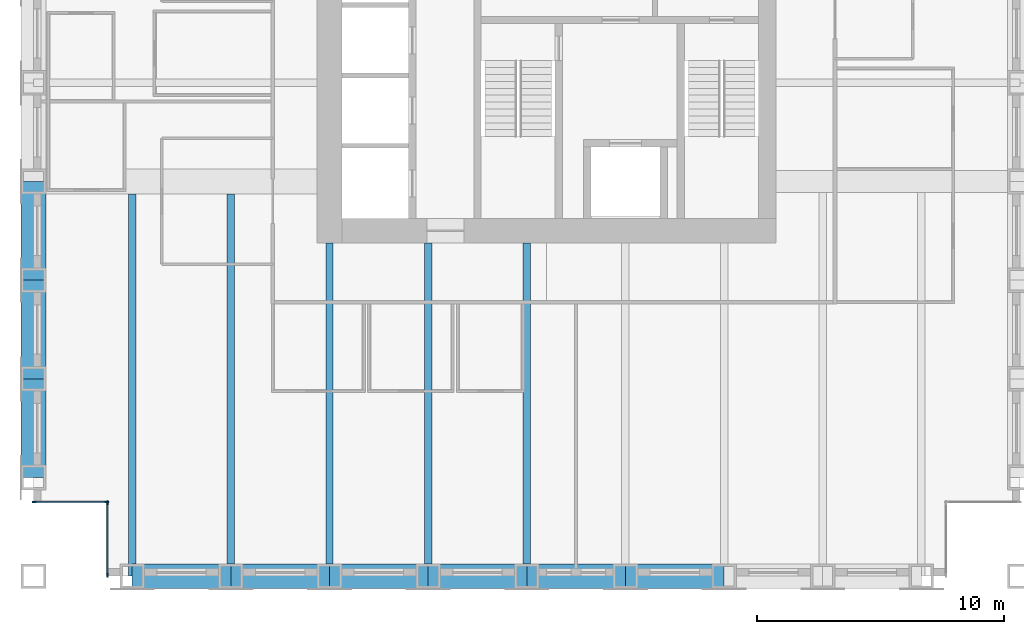
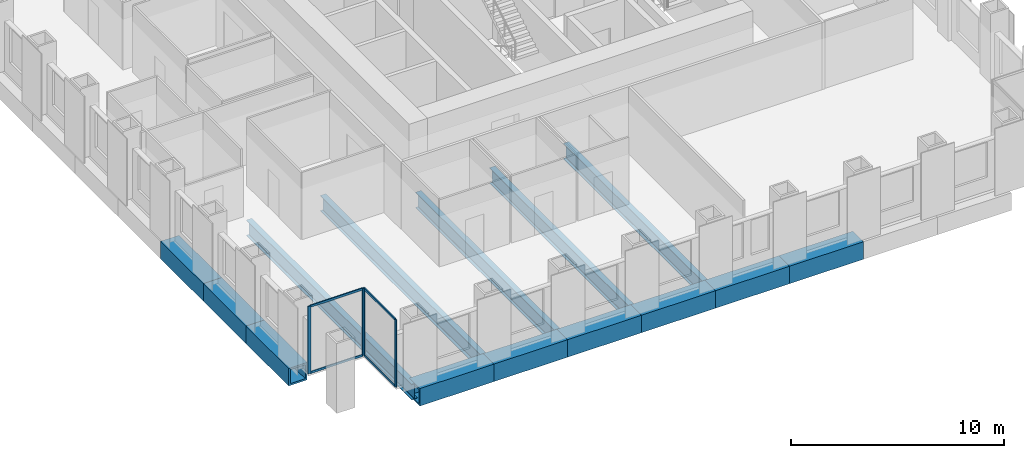
# One storey, part 2 of 13: 14 beams, 8 members, 2 elements without a shape of their own.
"""IFC4 building model written with IfcOpenShell, lengths in metres."""

from ifc_helpers import new_model, si_unit, direction, frame, origin, origin_2d, place, context, subcontext, project, spatial, rectangle, hollow_rectangle, i_section, extrude, material, material_profile, profile_set, type_object, element, aggregate, save


model = new_model("IFC4")

# Units and contexts
model_context = context("Model", 3, precision=1e-05, world=origin(), true_north=direction((0.0, 1.0)))
body_context = subcontext(model_context, "Body", "Model", "MODEL_VIEW")
ifc_project = project(units=[si_unit("LENGTHUNIT", "METRE"), si_unit("AREAUNIT", "SQUARE_METRE"), si_unit("VOLUMEUNIT", "CUBIC_METRE"), si_unit("PLANEANGLEUNIT", "RADIAN"), si_unit("MASSUNIT", "GRAM", prefix="KILO")], contexts=[model_context])

# Site, building, storey
site_placement = place(None, origin())
site = spatial("IfcSite", under=ifc_project, at=site_placement, CompositionType="ELEMENT")
building_placement = place(site_placement, origin())
building = spatial("IfcBuilding", under=site, at=building_placement, Name="Rimbunsela Tower", CompositionType="ELEMENT")
storey_placement = place(building_placement, frame((0.0, 0.0, 286.199951171875)))
storey = spatial("IfcBuildingStorey", under=building, at=storey_placement, Name="L69", CompositionType="ELEMENT", Elevation=286.199951171875)

# Beams
ifc_material_1 = material(Name="Steel BJ 55 (fy 410 MPa)", Category="steel")
ifc_material_profile_1 = material_profile(ifc_material_1, hollow_rectangle(XDim=1.0, YDim=1.0, WallThickness=0.10009765625, at=origin_2d()), Name="BOX 1000x1000x100")
ifc_profile_set_1 = profile_set([ifc_material_profile_1], Name="Steel BJ 55 (fy 410 MPa)")
beam_type_1 = type_object("IfcBeamType", Name="Beam BOX 1000x1000x100", PredefinedType="BEAM", material=ifc_profile_set_1)
for number, where, z_axis, x_axis, name in (
    (1, (6.0, 8.0, -0.64990234375), (0.0, 1.0, 0.0), (-1.0, 0.0, 0.0), "Beam B3 L69"),
    (2, (6.0, 12.0, -0.64990234375), (0.0, 1.0, 0.0), (-1.0, 0.0, 0.0), "Beam B3 L69"),
    (3, (6.0, 16.0, -0.64990234375), (0.0, 1.0, 0.0), (-1.0, 0.0, 0.0), "Beam B3 L69"),
    (4, (10.0, 4.0, -0.64990234375), (1.0, 0.0, 0.0), (0.0, 1.0, 0.0), "Beam B3 L69"),
    (5, (14.0, 4.0, -0.64990234375), (1.0, 0.0, 0.0), (0.0, 1.0, 0.0), "Beam B3 L69"),
    (6, (18.0, 4.0, -0.64990234375), (1.0, 0.0, 0.0), (0.0, 1.0, 0.0), "Beam B3 L69"),
    (7, (22.0, 4.0, -0.64990234375), (1.0, 0.0, 0.0), (0.0, 1.0, 0.0), "Beam B3 L69"),
    (8, (26.0, 4.0, -0.64990234375), (1.0, 0.0, 0.0), (0.0, 1.0, 0.0), "Beam B3 L69"),
    (9, (30.0, 4.0, -0.64990234375), (1.0, 0.0, 0.0), (0.0, 1.0, 0.0), "Beam B3 L69"),
):
    element("IfcBeam", number, at=place(storey_placement, frame(where, z_axis=z_axis, x_axis=x_axis)), inside=storey, type_object=beam_type_1, Name=name, PredefinedType="BEAM", context=body_context, shape_type="SweptSolid", body=[
        extrude(hollow_rectangle(XDim=1.0, YDim=1.0, WallThickness=0.10009765625, at=origin_2d()), origin(), (0.0, 0.0, 1.0), 4.0),
    ])
ifc_material_2 = material(Name="Steel BJ 55 (fy 410 MPa)", Category="steel")
ifc_material_profile_2 = material_profile(ifc_material_2, i_section(OverallWidth=0.300048828125, OverallDepth=0.89990234375, WebThickness=0.01611328125, FlangeThickness=0.028076171875, FilletRadius=0.028076171875, at=origin_2d()), Name="H 900x300x16x28")
ifc_profile_set_2 = profile_set([ifc_material_profile_2], Name="Steel BJ 55 (fy 410 MPa)")
beam_type_2 = type_object("IfcBeamType", Name="Beam H 900x300x16x28", PredefinedType="BEAM", material=ifc_profile_set_2)
for number, where, z_axis, x_axis, name in (
    (10, (10.0, 4.0, -0.599853515625), (0.0, 1.0, 0.0), (-1.0, 0.0, 0.0), "Beam B2 L69"),
    (11, (14.0, 4.0, -0.599853515625), (0.0, 1.0, 0.0), (-1.0, 0.0, 0.0), "Beam B2 L69"),
):
    element("IfcBeam", number, at=place(storey_placement, frame(where, z_axis=z_axis, x_axis=x_axis)), inside=storey, type_object=beam_type_2, Name=name, PredefinedType="BEAM", context=body_context, shape_type="SweptSolid", body=[
        extrude(i_section(OverallWidth=0.300048828125, OverallDepth=0.89990234375, WebThickness=0.01611328125, FlangeThickness=0.028076171875, FilletRadius=0.028076171875, at=origin_2d()), origin(), (0.0, 0.0, 1.0), 15.5),
    ])
for number, where, z_axis, x_axis, name in (
    (12, (18.0, 4.0, -0.599853515625), (0.0, 1.0, 0.0), (-1.0, 0.0, 0.0), "Beam B2 L69"),
    (13, (22.0, 4.0, -0.599853515625), (0.0, 1.0, 0.0), (-1.0, 0.0, 0.0), "Beam B2 L69"),
    (14, (26.0, 4.0, -0.599853515625), (0.0, 1.0, 0.0), (-1.0, 0.0, 0.0), "Beam B2 L69"),
):
    element("IfcBeam", number, at=place(storey_placement, frame(where, z_axis=z_axis, x_axis=x_axis)), inside=storey, type_object=beam_type_2, Name=name, PredefinedType="BEAM", context=body_context, shape_type="SweptSolid", body=[
        extrude(i_section(OverallWidth=0.300048828125, OverallDepth=0.89990234375, WebThickness=0.01611328125, FlangeThickness=0.028076171875, FilletRadius=0.028076171875, at=origin_2d()), origin(), (0.0, 0.0, 1.0), 13.5),
    ])

# Curtain wall, members
ifc_material_3 = material(Name="Aluminium curtain wall", Category="aluminium")
curtain_wall_type = type_object("IfcCurtainWallType", Name="Corner glazing", PredefinedType="USERDEFINED", material=ifc_material_3)
curtain_wall_1_placement = place(storey_placement, origin())
curtain_wall_1 = element("IfcCurtainWall", 15, at=curtain_wall_1_placement, inside=storey, type_object=curtain_wall_type, Name="Corner glazing L69", ObjectType="CORNER GLAZING", PredefinedType="USERDEFINED")
ifc_material_4 = material(Name="Aluminium mullion", Category="aluminium")
ifc_material_profile_3 = material_profile(ifc_material_4, rectangle(XDim=0.06005859375, YDim=0.159912109375, at=origin_2d()), Name="Mullion 60x160")
ifc_profile_set_3 = profile_set([ifc_material_profile_3], Name="Aluminium mullion")
member_type_1 = type_object("IfcMemberType", Name="Curtain wall mullion 60x160", PredefinedType="MULLION", material=ifc_profile_set_3)
member_1_placement = place(storey_placement, frame((6.030029296875, 7.0, 0.0), z_axis=(0.0, 0.0, 1.0), x_axis=(0.0, 1.0, 0.0)))
member_1 = element("IfcMember", 16, at=member_1_placement, type_object=member_type_1, Name="CW5 mullion 1", PredefinedType="MULLION", context=body_context, shape_type="SweptSolid", body=[
    extrude(rectangle(XDim=0.06005859375, YDim=0.159912109375, at=origin_2d()), origin(), (0.0, 0.0, 1.0), 3.85009765625),
])
member_2_placement = place(storey_placement, frame((8.969970703125, 7.0, 0.0), z_axis=(0.0, 0.0, 1.0), x_axis=(0.0, 1.0, 0.0)))
member_2 = element("IfcMember", 17, at=member_2_placement, type_object=member_type_1, Name="CW5 mullion 2", PredefinedType="MULLION", context=body_context, shape_type="SweptSolid", body=[
    extrude(rectangle(XDim=0.06005859375, YDim=0.159912109375, at=origin_2d()), origin(), (0.0, 0.0, 1.0), 3.85009765625),
])

curtain_wall_2_placement = place(storey_placement, origin())
curtain_wall_2 = element("IfcCurtainWall", 18, at=curtain_wall_2_placement, inside=storey, type_object=curtain_wall_type, Name="Corner glazing L69", ObjectType="CORNER GLAZING", PredefinedType="USERDEFINED")
member_3_placement = place(storey_placement, frame((9.0, 6.969970703125, 0.0), z_axis=(0.0, 0.0, 1.0), x_axis=(1.0, 0.0, 0.0)))
member_3 = element("IfcMember", 19, at=member_3_placement, type_object=member_type_1, Name="CW5 mullion 1", PredefinedType="MULLION", context=body_context, shape_type="SweptSolid", body=[
    extrude(rectangle(XDim=0.06005859375, YDim=0.159912109375, at=origin_2d()), origin(), (0.0, 0.0, 1.0), 3.85009765625),
])
member_4_placement = place(storey_placement, frame((9.0, 4.030029296875, 0.0), z_axis=(0.0, 0.0, 1.0), x_axis=(1.0, 0.0, 0.0)))
member_4 = element("IfcMember", 20, at=member_4_placement, type_object=member_type_1, Name="CW5 mullion 2", PredefinedType="MULLION", context=body_context, shape_type="SweptSolid", body=[
    extrude(rectangle(XDim=0.06005859375, YDim=0.159912109375, at=origin_2d()), origin(), (0.0, 0.0, 1.0), 3.85009765625),
])

# Member
ifc_material_5 = material(Name="Aluminium transom", Category="aluminium")
ifc_material_profile_4 = material_profile(ifc_material_5, rectangle(XDim=0.06005859375, YDim=0.1201171875, at=origin_2d()), Name="Transom 60x120")
ifc_profile_set_4 = profile_set([ifc_material_profile_4], Name="Aluminium transom")
member_type_2 = type_object("IfcMemberType", Name="Curtain wall transom 60x120", PredefinedType="USERDEFINED", material=ifc_profile_set_4)
member_5_placement = place(storey_placement, frame((6.06005859375, 7.0, 0.030029296875), z_axis=(1.0, 0.0, 0.0), x_axis=(0.0, 1.0, 0.0)))
member_5 = element("IfcMember", 21, at=member_5_placement, type_object=member_type_2, Name="CW5 transom 1.1", ObjectType="TRANSOM", PredefinedType="USERDEFINED", context=body_context, shape_type="SweptSolid", body=[
    extrude(rectangle(XDim=0.06005859375, YDim=0.1201171875, at=origin_2d()), origin(), (0.0, 0.0, 1.0), 2.8798828125),
])

member_6_placement = place(storey_placement, frame((6.06005859375, 7.0, 3.820068359375), z_axis=(1.0, 0.0, 0.0), x_axis=(0.0, 1.0, 0.0)))
member_6 = element("IfcMember", 22, at=member_6_placement, type_object=member_type_2, Name="CW5 transom 1.2", ObjectType="TRANSOM", PredefinedType="USERDEFINED", context=body_context, shape_type="SweptSolid", body=[
    extrude(rectangle(XDim=0.06005859375, YDim=0.1201171875, at=origin_2d()), origin(), (0.0, 0.0, 1.0), 2.8798828125),
])

aggregate(curtain_wall_1, [member_1, member_2, member_5, member_6])

member_7_placement = place(storey_placement, frame((9.0, 6.93994140625, 0.030029296875), z_axis=(0.0, -1.0, 0.0), x_axis=(1.0, 0.0, 0.0)))
member_7 = element("IfcMember", 23, at=member_7_placement, type_object=member_type_2, Name="CW5 transom 1.1", ObjectType="TRANSOM", PredefinedType="USERDEFINED", context=body_context, shape_type="SweptSolid", body=[
    extrude(rectangle(XDim=0.06005859375, YDim=0.1201171875, at=origin_2d()), origin(), (0.0, 0.0, 1.0), 2.8798828125),
])

member_8_placement = place(storey_placement, frame((9.0, 6.93994140625, 3.820068359375), z_axis=(0.0, -1.0, 0.0), x_axis=(1.0, 0.0, 0.0)))
member_8 = element("IfcMember", 24, at=member_8_placement, type_object=member_type_2, Name="CW5 transom 1.2", ObjectType="TRANSOM", PredefinedType="USERDEFINED", context=body_context, shape_type="SweptSolid", body=[
    extrude(rectangle(XDim=0.06005859375, YDim=0.1201171875, at=origin_2d()), origin(), (0.0, 0.0, 1.0), 2.8798828125),
])

aggregate(curtain_wall_2, [member_3, member_4, member_7, member_8])

save(model, "model.ifc")
